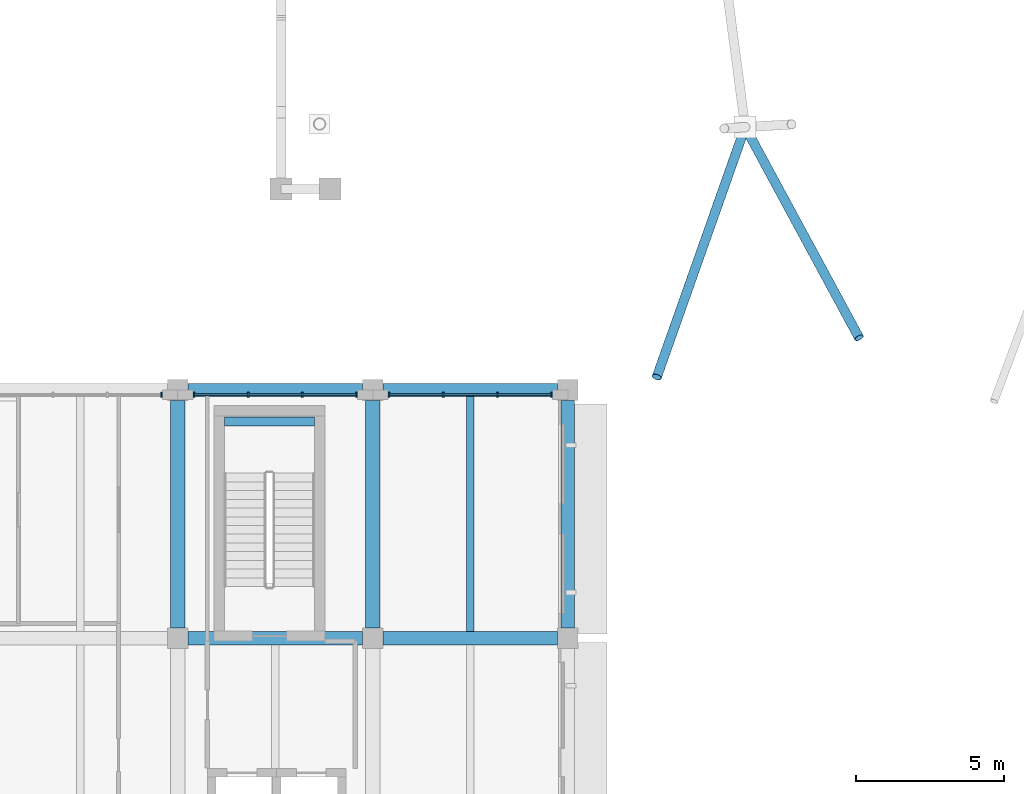
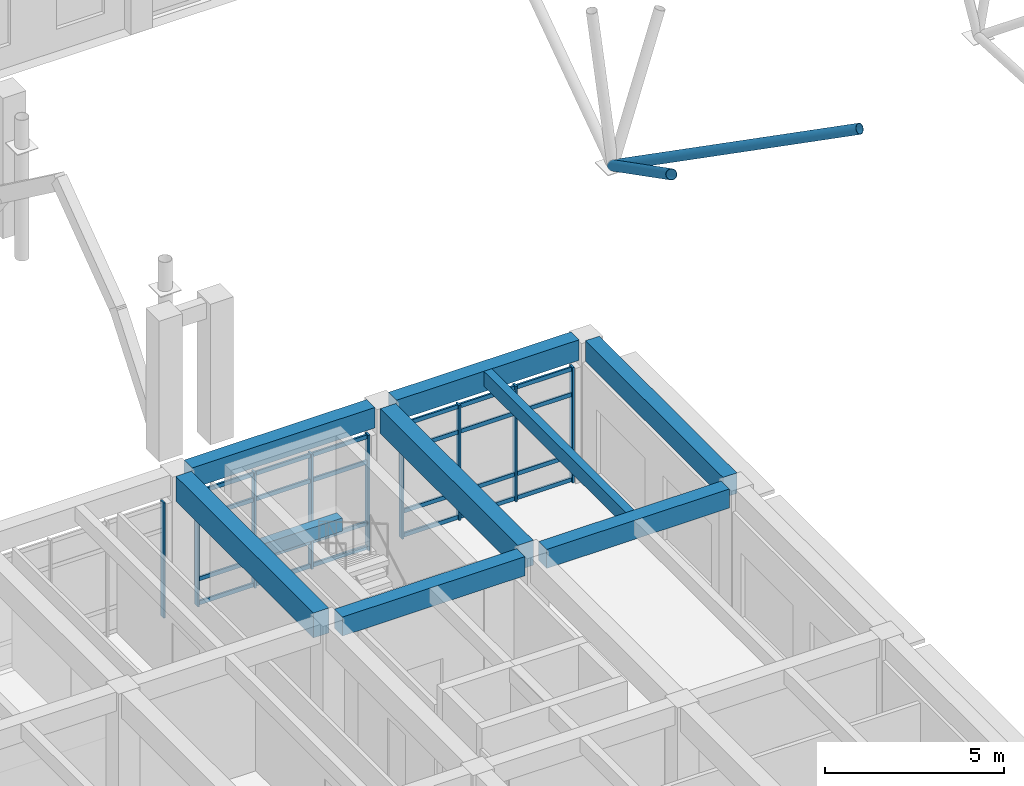
# One storey, part 10 of 75: 19 members, 9 beams, 3 elements without a shape of their own.
"""IFC4 building model written with IfcOpenShell, lengths in metres."""

from ifc_helpers import new_model, si_unit, direction, frame, origin, origin_2d, place, context, subcontext, project, spatial, rectangle, hollow_circle, extrude, material, layer, layer_set, material_profile, profile_set, type_object, element, aggregate, save


model = new_model("IFC4")

# Units and contexts
model_context = context("Model", 3, precision=1e-05, world=origin(), true_north=direction((0.0, 1.0)))
body_context = subcontext(model_context, "Body", "Model", "MODEL_VIEW")
ifc_project = project(units=[si_unit("LENGTHUNIT", "METRE"), si_unit("AREAUNIT", "SQUARE_METRE"), si_unit("VOLUMEUNIT", "CUBIC_METRE"), si_unit("PLANEANGLEUNIT", "RADIAN"), si_unit("MASSUNIT", "GRAM", prefix="KILO")], contexts=[model_context])

# Site, building, storey
site_placement = place(None, origin())
site = spatial("IfcSite", under=ifc_project, at=site_placement, CompositionType="ELEMENT")
building_placement = place(site_placement, origin())
building = spatial("IfcBuilding", under=site, at=building_placement, Name="Kolvaren Faculty of Natural Sciences", CompositionType="ELEMENT")
storey_placement = place(building_placement, frame((0.0, 0.0, 5.39990234375)))
storey = spatial("IfcBuildingStorey", under=building, at=storey_placement, Name="L01", CompositionType="ELEMENT", Elevation=5.39990234375)

# Beam
ifc_material_1 = material(Name="Concrete C40/50", Category="concrete")
ifc_material_profile_1 = material_profile(ifc_material_1, rectangle(XDim=0.300048828125, YDim=0.449951171875, at=origin_2d()), Name="RC LNT 300x450")
ifc_profile_set_1 = profile_set([ifc_material_profile_1], Name="Concrete C40/50")
beam_type_1 = type_object("IfcBeamType", Name="CoreCouplingLintel_300x450", PredefinedType="LINTEL", material=ifc_profile_set_1)
beam_1_placement = place(storey_placement, frame((34.77490234375, 41.1298828125, 1.97509765625), z_axis=(1.0, 0.0, 0.0), x_axis=(0.0, 1.0, 0.0)))
element("IfcBeam", 1, at=beam_1_placement, inside=storey, type_object=beam_type_1, Name="L01 ST-4 half-landing support lintel", PredefinedType="LINTEL", context=body_context, shape_type="SweptSolid", body=[
    extrude(rectangle(XDim=0.300048828125, YDim=0.449951171875, at=origin_2d()), origin(), (0.0, 0.0, 1.0), 3.050048828125),
])

# Curtain wall, member
ifc_material_2 = material(Name="Thermally broken anodised aluminium framing", Category="aluminium")
ifc_layer = layer(ifc_material_2, 0.179931640625)
ifc_layer_set = layer_set([ifc_layer], Name="Thermally broken anodised aluminium framing")
curtain_wall_type = type_object("IfcCurtainWallType", Name="CommonsCurtainWall_CW02", PredefinedType="NOTDEFINED", material=ifc_layer_set)
curtain_wall_1_placement = place(storey_placement, origin())
curtain_wall_1 = element("IfcCurtainWall", 2, at=curtain_wall_1_placement, inside=storey, type_object=curtain_wall_type, Name="L01 unitised curtain wall CW-02 (CW-L01-027)", PredefinedType="NOTDEFINED")
ifc_material_profile_2 = material_profile(ifc_material_2, rectangle(XDim=0.06005859375, YDim=0.179931640625, at=origin_2d()), Name="ALU MUL 60x180")
ifc_profile_set_2 = profile_set([ifc_material_profile_2], Name="Thermally broken anodised aluminium framing")
member_type_1 = type_object("IfcMemberType", Name="CurtainMullion_60x180", PredefinedType="MULLION", material=ifc_profile_set_2)
member_1_placement = place(storey_placement, frame((32.64990234375, 42.0400390625, 0.0), z_axis=(0.0, 0.0, 1.0), x_axis=(1.0, 0.0, 0.0)))
member_1 = element("IfcMember", 3, at=member_1_placement, type_object=member_type_1, Name="CW-L01-027 vertical mullion 4", PredefinedType="MULLION", context=body_context, shape_type="SweptSolid", body=[
    extrude(rectangle(XDim=0.06005859375, YDim=0.179931640625, at=origin_2d()), origin(), (0.0, 0.0, 1.0), 3.93505859375),
])
aggregate(curtain_wall_1, [member_1])

# Curtain wall, members
curtain_wall_2_placement = place(storey_placement, origin())
curtain_wall_2 = element("IfcCurtainWall", 4, at=curtain_wall_2_placement, inside=storey, type_object=curtain_wall_type, Name="L01 unitised curtain wall CW-02 (CW-L01-028)", PredefinedType="NOTDEFINED")
member_2_placement = place(storey_placement, frame((33.75, 42.0400390625, 0.0), z_axis=(0.0, 0.0, 1.0), x_axis=(1.0, 0.0, 0.0)))
member_2 = element("IfcMember", 5, at=member_2_placement, type_object=member_type_1, Name="CW-L01-028 vertical mullion 1", PredefinedType="MULLION", context=body_context, shape_type="SweptSolid", body=[
    extrude(rectangle(XDim=0.06005859375, YDim=0.179931640625, at=origin_2d()), origin(), (0.0, 0.0, 1.0), 3.93505859375),
])
member_3_placement = place(storey_placement, frame((35.583251953125, 42.0400390625, 0.0), z_axis=(0.0, 0.0, 1.0), x_axis=(1.0, 0.0, 0.0)))
member_3 = element("IfcMember", 6, at=member_3_placement, type_object=member_type_1, Name="CW-L01-028 vertical mullion 2", PredefinedType="MULLION", context=body_context, shape_type="SweptSolid", body=[
    extrude(rectangle(XDim=0.06005859375, YDim=0.179931640625, at=origin_2d()), origin(), (0.0, 0.0, 1.0), 3.93505859375),
])
member_4_placement = place(storey_placement, frame((37.416748046875, 42.0400390625, 0.0), z_axis=(0.0, 0.0, 1.0), x_axis=(1.0, 0.0, 0.0)))
member_4 = element("IfcMember", 7, at=member_4_placement, type_object=member_type_1, Name="CW-L01-028 vertical mullion 3", PredefinedType="MULLION", context=body_context, shape_type="SweptSolid", body=[
    extrude(rectangle(XDim=0.06005859375, YDim=0.179931640625, at=origin_2d()), origin(), (0.0, 0.0, 1.0), 3.93505859375),
])
member_5_placement = place(storey_placement, frame((39.25, 42.0400390625, 0.0), z_axis=(0.0, 0.0, 1.0), x_axis=(1.0, 0.0, 0.0)))
member_5 = element("IfcMember", 8, at=member_5_placement, type_object=member_type_1, Name="CW-L01-028 vertical mullion 4", PredefinedType="MULLION", context=body_context, shape_type="SweptSolid", body=[
    extrude(rectangle(XDim=0.06005859375, YDim=0.179931640625, at=origin_2d()), origin(), (0.0, 0.0, 1.0), 3.93505859375),
])

curtain_wall_3_placement = place(storey_placement, origin())
curtain_wall_3 = element("IfcCurtainWall", 9, at=curtain_wall_3_placement, inside=storey, type_object=curtain_wall_type, Name="L01 unitised curtain wall CW-02 (CW-L01-029)", PredefinedType="NOTDEFINED")
member_6_placement = place(storey_placement, frame((40.35009765625, 42.0400390625, 0.0), z_axis=(0.0, 0.0, 1.0), x_axis=(1.0, 0.0, 0.0)))
member_6 = element("IfcMember", 10, at=member_6_placement, type_object=member_type_1, Name="CW-L01-029 vertical mullion 1", PredefinedType="MULLION", context=body_context, shape_type="SweptSolid", body=[
    extrude(rectangle(XDim=0.06005859375, YDim=0.179931640625, at=origin_2d()), origin(), (0.0, 0.0, 1.0), 3.93505859375),
])
member_7_placement = place(storey_placement, frame((42.183349609375, 42.0400390625, 0.0), z_axis=(0.0, 0.0, 1.0), x_axis=(1.0, 0.0, 0.0)))
member_7 = element("IfcMember", 11, at=member_7_placement, type_object=member_type_1, Name="CW-L01-029 vertical mullion 2", PredefinedType="MULLION", context=body_context, shape_type="SweptSolid", body=[
    extrude(rectangle(XDim=0.06005859375, YDim=0.179931640625, at=origin_2d()), origin(), (0.0, 0.0, 1.0), 3.93505859375),
])
member_8_placement = place(storey_placement, frame((44.0166015625, 42.0400390625, 0.0), z_axis=(0.0, 0.0, 1.0), x_axis=(1.0, 0.0, 0.0)))
member_8 = element("IfcMember", 12, at=member_8_placement, type_object=member_type_1, Name="CW-L01-029 vertical mullion 3", PredefinedType="MULLION", context=body_context, shape_type="SweptSolid", body=[
    extrude(rectangle(XDim=0.06005859375, YDim=0.179931640625, at=origin_2d()), origin(), (0.0, 0.0, 1.0), 3.93505859375),
])
member_9_placement = place(storey_placement, frame((45.85009765625, 42.0400390625, 0.0), z_axis=(0.0, 0.0, 1.0), x_axis=(1.0, 0.0, 0.0)))
member_9 = element("IfcMember", 13, at=member_9_placement, type_object=member_type_1, Name="CW-L01-029 vertical mullion 4", PredefinedType="MULLION", context=body_context, shape_type="SweptSolid", body=[
    extrude(rectangle(XDim=0.06005859375, YDim=0.179931640625, at=origin_2d()), origin(), (0.0, 0.0, 1.0), 3.93505859375),
])

# Member
ifc_material_profile_3 = material_profile(ifc_material_2, rectangle(XDim=0.06005859375, YDim=0.139892578125, at=origin_2d()), Name="ALU TRN 60x140")
ifc_profile_set_3 = profile_set([ifc_material_profile_3], Name="Thermally broken anodised aluminium framing")
member_type_2 = type_object("IfcMemberType", Name="CurtainTransom_60x140", PredefinedType="USERDEFINED", material=ifc_profile_set_3)
member_10_placement = place(storey_placement, frame((33.75, 42.0400390625, 0.080078125), z_axis=(1.0, 0.0, 0.0), x_axis=(0.0, 1.0, 0.0)))
member_10 = element("IfcMember", 14, at=member_10_placement, type_object=member_type_2, Name="CW-L01-028 horizontal transom 1", ObjectType="TRANSOM", PredefinedType="USERDEFINED", context=body_context, shape_type="SweptSolid", body=[
    extrude(rectangle(XDim=0.06005859375, YDim=0.139892578125, at=origin_2d()), origin(), (0.0, 0.0, 1.0), 5.5),
])

member_11_placement = place(storey_placement, frame((33.75, 42.0400390625, 0.900146484375), z_axis=(1.0, 0.0, 0.0), x_axis=(0.0, 1.0, 0.0)))
member_11 = element("IfcMember", 15, at=member_11_placement, type_object=member_type_2, Name="CW-L01-028 horizontal transom 2", ObjectType="TRANSOM", PredefinedType="USERDEFINED", context=body_context, shape_type="SweptSolid", body=[
    extrude(rectangle(XDim=0.06005859375, YDim=0.139892578125, at=origin_2d()), origin(), (0.0, 0.0, 1.0), 5.5),
])

member_12_placement = place(storey_placement, frame((33.75, 42.0400390625, 2.985107421875), z_axis=(1.0, 0.0, 0.0), x_axis=(0.0, 1.0, 0.0)))
member_12 = element("IfcMember", 16, at=member_12_placement, type_object=member_type_2, Name="CW-L01-028 horizontal transom 3", ObjectType="TRANSOM", PredefinedType="USERDEFINED", context=body_context, shape_type="SweptSolid", body=[
    extrude(rectangle(XDim=0.06005859375, YDim=0.139892578125, at=origin_2d()), origin(), (0.0, 0.0, 1.0), 5.5),
])

member_13_placement = place(storey_placement, frame((33.75, 42.0400390625, 3.85498046875), z_axis=(1.0, 0.0, 0.0), x_axis=(0.0, 1.0, 0.0)))
member_13 = element("IfcMember", 17, at=member_13_placement, type_object=member_type_2, Name="CW-L01-028 horizontal transom 4", ObjectType="TRANSOM", PredefinedType="USERDEFINED", context=body_context, shape_type="SweptSolid", body=[
    extrude(rectangle(XDim=0.06005859375, YDim=0.139892578125, at=origin_2d()), origin(), (0.0, 0.0, 1.0), 5.5),
])

aggregate(curtain_wall_2, [member_2, member_3, member_4, member_5, member_10, member_11, member_12, member_13])

member_14_placement = place(storey_placement, frame((40.35009765625, 42.0400390625, 0.080078125), z_axis=(1.0, 0.0, 0.0), x_axis=(0.0, 1.0, 0.0)))
member_14 = element("IfcMember", 18, at=member_14_placement, type_object=member_type_2, Name="CW-L01-029 horizontal transom 1", ObjectType="TRANSOM", PredefinedType="USERDEFINED", context=body_context, shape_type="SweptSolid", body=[
    extrude(rectangle(XDim=0.06005859375, YDim=0.139892578125, at=origin_2d()), origin(), (0.0, 0.0, 1.0), 5.5),
])

member_15_placement = place(storey_placement, frame((40.35009765625, 42.0400390625, 0.900146484375), z_axis=(1.0, 0.0, 0.0), x_axis=(0.0, 1.0, 0.0)))
member_15 = element("IfcMember", 19, at=member_15_placement, type_object=member_type_2, Name="CW-L01-029 horizontal transom 2", ObjectType="TRANSOM", PredefinedType="USERDEFINED", context=body_context, shape_type="SweptSolid", body=[
    extrude(rectangle(XDim=0.06005859375, YDim=0.139892578125, at=origin_2d()), origin(), (0.0, 0.0, 1.0), 5.5),
])

member_16_placement = place(storey_placement, frame((40.35009765625, 42.0400390625, 2.985107421875), z_axis=(1.0, 0.0, 0.0), x_axis=(0.0, 1.0, 0.0)))
member_16 = element("IfcMember", 20, at=member_16_placement, type_object=member_type_2, Name="CW-L01-029 horizontal transom 3", ObjectType="TRANSOM", PredefinedType="USERDEFINED", context=body_context, shape_type="SweptSolid", body=[
    extrude(rectangle(XDim=0.06005859375, YDim=0.139892578125, at=origin_2d()), origin(), (0.0, 0.0, 1.0), 5.5),
])

member_17_placement = place(storey_placement, frame((40.35009765625, 42.0400390625, 3.85498046875), z_axis=(1.0, 0.0, 0.0), x_axis=(0.0, 1.0, 0.0)))
member_17 = element("IfcMember", 21, at=member_17_placement, type_object=member_type_2, Name="CW-L01-029 horizontal transom 4", ObjectType="TRANSOM", PredefinedType="USERDEFINED", context=body_context, shape_type="SweptSolid", body=[
    extrude(rectangle(XDim=0.06005859375, YDim=0.139892578125, at=origin_2d()), origin(), (0.0, 0.0, 1.0), 5.5),
])

aggregate(curtain_wall_3, [member_6, member_7, member_8, member_9, member_14, member_15, member_16, member_17])

# Beams
ifc_material_3 = material(Name="Concrete C35/45", Category="concrete")
ifc_material_profile_4 = material_profile(ifc_material_3, rectangle(XDim=0.449951171875, YDim=0.64990234375, at=origin_2d()), Name="RC BM 450x650")
ifc_profile_set_4 = profile_set([ifc_material_profile_4], Name="Concrete C35/45")
beam_type_2 = type_object("IfcBeamType", Name="GridBeam_450x650", PredefinedType="BEAM", material=ifc_profile_set_4)
beam_2_placement = place(storey_placement, frame((33.550048828125, 33.800048828125, 4.47509765625), z_axis=(1.0, 0.0, 0.0), x_axis=(0.0, 1.0, 0.0)))
element("IfcBeam", 22, at=beam_2_placement, inside=storey, type_object=beam_type_2, Name="L01 beam BM-65 on grid E", PredefinedType="BEAM", context=body_context, shape_type="SweptSolid", body=[
    extrude(rectangle(XDim=0.449951171875, YDim=0.64990234375, at=origin_2d()), origin(), (0.0, 0.0, 1.0), 5.89990234375),
])
beam_3_placement = place(storey_placement, frame((40.14990234375, 33.800048828125, 4.47509765625), z_axis=(1.0, 0.0, 0.0), x_axis=(0.0, 1.0, 0.0)))
element("IfcBeam", 23, at=beam_3_placement, inside=storey, type_object=beam_type_2, Name="L01 beam BM-65 on grid E", PredefinedType="BEAM", context=body_context, shape_type="SweptSolid", body=[
    extrude(rectangle(XDim=0.449951171875, YDim=0.64990234375, at=origin_2d()), origin(), (0.0, 0.0, 1.0), 5.900146484375),
])
ifc_material_profile_5 = material_profile(ifc_material_3, rectangle(XDim=0.260009765625, YDim=0.5, at=origin_2d()), Name="RC JST 260x500")
ifc_profile_set_5 = profile_set([ifc_material_profile_5], Name="Concrete C35/45")
beam_type_3 = type_object("IfcBeamType", Name="LabRibJoist_260x500", PredefinedType="JOIST", material=ifc_profile_set_5)
beam_4_placement = place(storey_placement, frame((43.10009765625, 34.02490234375, 4.550048828125), z_axis=(0.0, 1.0, 0.0), x_axis=(-1.0, 0.0, 0.0)))
element("IfcBeam", 24, at=beam_4_placement, inside=storey, type_object=beam_type_3, Name="L01 ribbed laboratory slab joist JS-50", PredefinedType="JOIST", context=body_context, shape_type="SweptSolid", body=[
    extrude(rectangle(XDim=0.260009765625, YDim=0.5, at=origin_2d()), origin(), (0.0, 0.0, 1.0), 7.9501953125),
])
ifc_material_profile_6 = material_profile(ifc_material_3, rectangle(XDim=0.449951171875, YDim=0.699951171875, at=origin_2d()), Name="RC SP 450x700")
ifc_profile_set_6 = profile_set([ifc_material_profile_6], Name="Concrete C35/45")
beam_type_4 = type_object("IfcBeamType", Name="PerimeterSpandrel_450x700", PredefinedType="SPANDREL", material=ifc_profile_set_6)
beam_5_placement = place(storey_placement, frame((33.550048828125, 42.199951171875, 4.4501953125), z_axis=(1.0, 0.0, 0.0), x_axis=(0.0, 1.0, 0.0)))
element("IfcBeam", 25, at=beam_5_placement, inside=storey, type_object=beam_type_4, Name="L01 spandrel SP-70 on grid F", PredefinedType="SPANDREL", context=body_context, shape_type="SweptSolid", body=[
    extrude(rectangle(XDim=0.449951171875, YDim=0.699951171875, at=origin_2d()), origin(), (0.0, 0.0, 1.0), 5.89990234375),
])
beam_6_placement = place(storey_placement, frame((40.14990234375, 42.199951171875, 4.4501953125), z_axis=(1.0, 0.0, 0.0), x_axis=(0.0, 1.0, 0.0)))
element("IfcBeam", 26, at=beam_6_placement, inside=storey, type_object=beam_type_4, Name="L01 spandrel SP-70 on grid F", PredefinedType="SPANDREL", context=body_context, shape_type="SweptSolid", body=[
    extrude(rectangle(XDim=0.449951171875, YDim=0.699951171875, at=origin_2d()), origin(), (0.0, 0.0, 1.0), 5.900146484375),
])
beam_7_placement = place(storey_placement, frame((46.39990234375, 34.14990234375, 4.4501953125), z_axis=(0.0, 1.0, 0.0), x_axis=(-1.0, 0.0, 0.0)))
element("IfcBeam", 27, at=beam_7_placement, inside=storey, type_object=beam_type_4, Name="L01 girder SP-70 on grid 8", PredefinedType="SPANDREL", context=body_context, shape_type="SweptSolid", body=[
    extrude(rectangle(XDim=0.449951171875, YDim=0.699951171875, at=origin_2d()), origin(), (0.0, 0.0, 1.0), 7.7001953125),
])
ifc_material_profile_7 = material_profile(ifc_material_3, rectangle(XDim=0.5, YDim=0.85009765625, at=origin_2d()), Name="RC BM 500x850")
ifc_profile_set_7 = profile_set([ifc_material_profile_7], Name="Concrete C35/45")
beam_type_5 = type_object("IfcBeamType", Name="PrimaryGirder_500x850", PredefinedType="BEAM", material=ifc_profile_set_7)
for number, where, z_axis, x_axis, name in (
    (28, (33.199951171875, 34.14990234375, 4.375), (0.0, 1.0, 0.0), (-1.0, 0.0, 0.0), "L01 girder BG-85 on grid 6"),
    (29, (39.800048828125, 34.14990234375, 4.375), (0.0, 1.0, 0.0), (-1.0, 0.0, 0.0), "L01 girder BG-85 on grid 7"),
):
    element("IfcBeam", number, at=place(storey_placement, frame(where, z_axis=z_axis, x_axis=x_axis)), inside=storey, type_object=beam_type_5, Name=name, PredefinedType="BEAM", context=body_context, shape_type="SweptSolid", body=[
        extrude(rectangle(XDim=0.5, YDim=0.85009765625, at=origin_2d()), origin(), (0.0, 0.0, 1.0), 7.7001953125),
    ])

# Members
ifc_material_4 = material(Name="Structural steel EN 10210-1 S355J2H (white architectural finish)", Category="steel")
ifc_material_profile_8 = material_profile(ifc_material_4, hollow_circle(Radius=0.161865234375, WallThickness=0.012451171875, at=origin_2d()), Name="CHS 323.9x12.5")
ifc_profile_set_8 = profile_set([ifc_material_profile_8], Name="Structural steel EN 10210-1 S355J2H (white architectural finish)")
member_type_3 = type_object("IfcMemberType", Name="TreeBranchPortal_CHS324", PredefinedType="STRUT", material=ifc_profile_set_8)
member_18_placement = place(storey_placement, frame((52.39990234375, 51.09375, 3.0), z_axis=(-0.278995416671, -0.788885162664, 0.547559821028), x_axis=(0.942778092803, -0.333420856771, 0.0)))
element("IfcMember", 30, at=member_18_placement, inside=storey, type_object=member_type_3, Name="Covered street canopy tree TREE-01 inclined branch 1", PredefinedType="STRUT", context=body_context, shape_type="SweptSolid", body=[
    extrude(hollow_circle(Radius=0.161865234375, WallThickness=0.012451171875, at=origin_2d()), origin(), (0.0, 0.0, 1.0), 10.7197265625),
])
member_19_placement = place(storey_placement, frame((52.39990234375, 51.09375, 3.0), z_axis=(0.421739815029, -0.779983586207, 0.462343090862), x_axis=(0.879646561297, 0.475627929373, 0.0)))
element("IfcMember", 31, at=member_19_placement, inside=storey, type_object=member_type_3, Name="Covered street canopy tree TREE-01 inclined branch 5", PredefinedType="STRUT", context=body_context, shape_type="SweptSolid", body=[
    extrude(hollow_circle(Radius=0.161865234375, WallThickness=0.012451171875, at=origin_2d()), origin(), (0.0, 0.0, 1.0), 9.139404296875),
])

save(model, "model.ifc")
